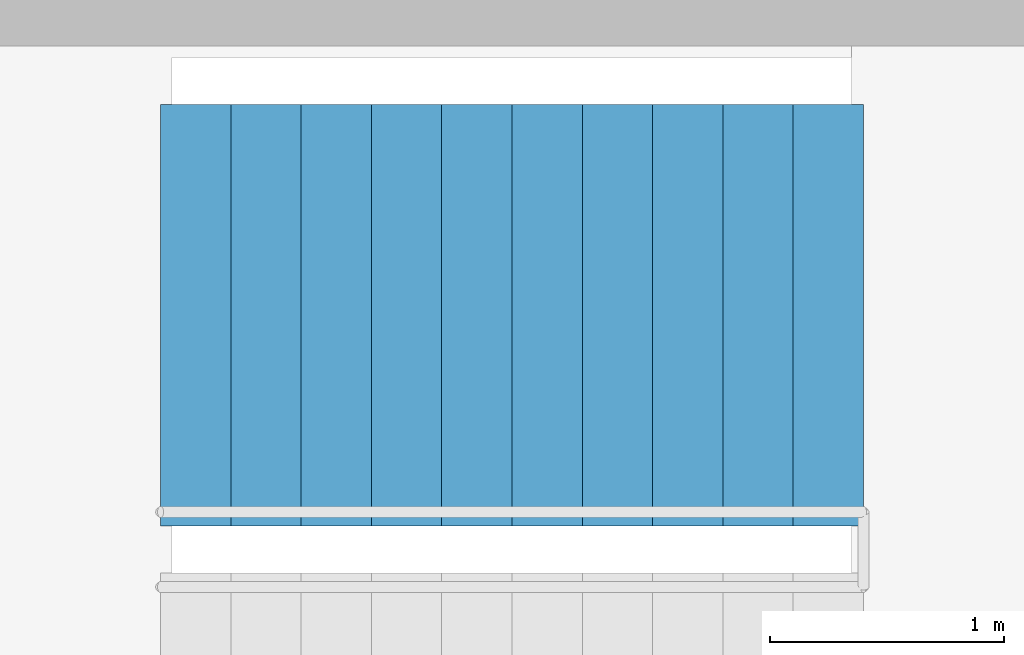
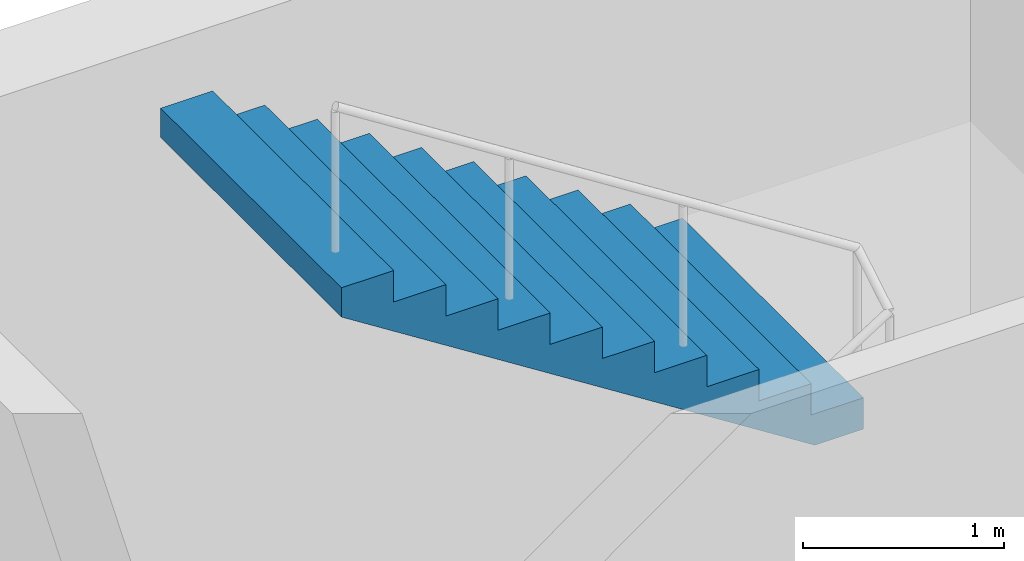
# One storey, part 11 of 12: 1 stair flight, 1 element without a shape of its own.
"""IFC4 building model written with IfcOpenShell, lengths in metres."""

from ifc_helpers import new_model, si_unit, direction, frame, origin, place, context, subcontext, project, spatial, polyline, outline, extrude, material, type_object, element, aggregate, save


model = new_model("IFC4")

# Units and contexts
model_context = context("Model", 3, precision=1e-05, world=origin(), true_north=direction((0.0, 1.0)))
body_context = subcontext(model_context, "Body", "Model", "MODEL_VIEW")
ifc_project = project(units=[si_unit("LENGTHUNIT", "METRE"), si_unit("AREAUNIT", "SQUARE_METRE"), si_unit("VOLUMEUNIT", "CUBIC_METRE"), si_unit("PLANEANGLEUNIT", "RADIAN"), si_unit("MASSUNIT", "GRAM", prefix="KILO")], contexts=[model_context])

# Site, building, storey
site_placement = place(None, origin())
site = spatial("IfcSite", under=ifc_project, at=site_placement, CompositionType="ELEMENT")
building_placement = place(site_placement, origin())
building = spatial("IfcBuilding", under=site, at=building_placement, Name="Crosswind Convention Tower", CompositionType="ELEMENT")
storey_placement = place(building_placement, frame((0.0, 0.0, 323.89990234375)))
storey = spatial("IfcBuildingStorey", under=building, at=storey_placement, Name="L70", CompositionType="ELEMENT", Elevation=323.89990234375)

# Stair, stair flight
ifc_material = material(Name="Concrete C40/50", Category="concrete")
stair_type = type_object("IfcStairType", Name="Exit stair 1800 wide, 2 flights of 11 risers", PredefinedType="HALF_TURN_STAIR", material=ifc_material)
stair_placement = place(storey_placement, origin())
stair = element("IfcStair", 1, at=stair_placement, inside=storey, type_object=stair_type, Name="Exit stair ST1 L70", ObjectType="ST5", PredefinedType="HALF_TURN_STAIR")
stair_flight_type = type_object("IfcStairFlightType", Name="Stair flight 1800 wide, 11 risers (SF4)", PredefinedType="STRAIGHT", material=ifc_material)
stair_flight_placement = place(storey_placement, frame((142.10009765625, 110.60009765625, 2.10009765625), z_axis=(0.0, 0.0, 1.0), x_axis=(-1.0, 0.0, 0.0)))
stair_flight = element("IfcStairFlight", 2, at=stair_flight_placement, type_object=stair_flight_type, Name="ST1 flight 2", NumberOfRisers=11, NumberOfTreads=10, PredefinedType="STRAIGHT", RiserHeight=0.190909091, TreadLength=0.3, context=body_context, shape_type="SweptSolid", body=[
    extrude(outline(polyline([(0.0, 0.0), (0.0, 0.19091796875), (0.300048828125, 0.19091796875), (0.300048828125, 0.3818359375), (0.60009765625, 0.3818359375), (0.60009765625, 0.57275390625), (0.89990234375, 0.57275390625), (0.89990234375, 0.763671875), (1.199951171875, 0.763671875), (1.199951171875, 0.95458984375), (1.5, 0.95458984375), (1.5, 1.1455078125), (1.800048828125, 1.1455078125), (1.800048828125, 1.33642578125), (2.10009765625, 1.33642578125), (2.10009765625, 1.52734375), (2.39990234375, 1.52734375), (2.39990234375, 1.71826171875), (2.699951171875, 1.71826171875), (2.699951171875, 1.9091796875), (3.0, 1.9091796875), (3.0, 2.10009765625), (3.0, 1.7314453125), (0.279296875, 0.0), (0.0, 0.0)])), frame((0.0, 0.89990234375, 0.0), z_axis=(0.0, -1.0, 0.0), x_axis=(1.0, 0.0, 0.0)), (0.0, 0.0, 1.0), 1.800048828125),
])
aggregate(stair, [stair_flight])

save(model, "model.ifc")
